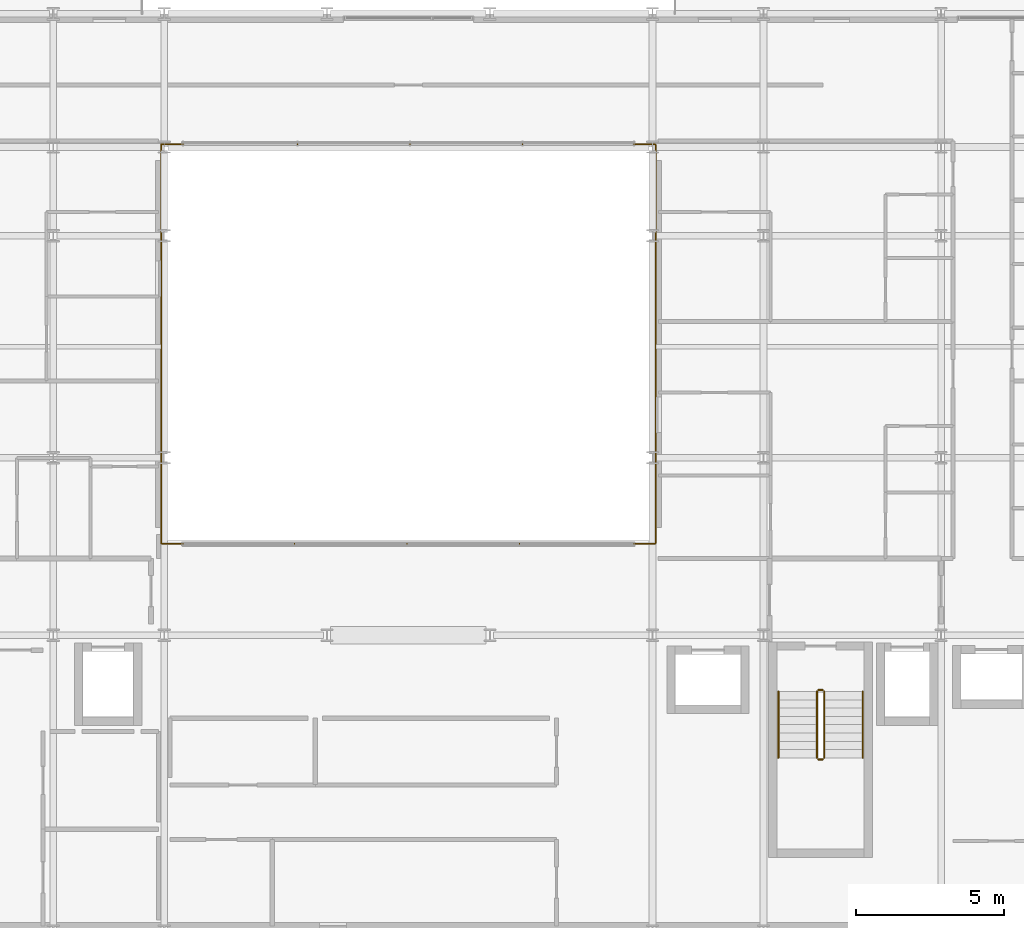
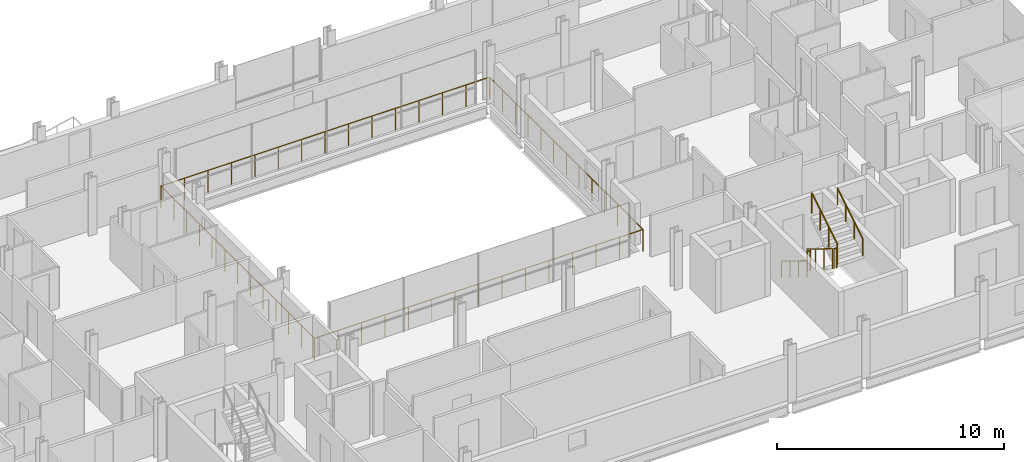
# One storey, part 39 of 40: 8 railings.
"""IFC4 building model written with IfcOpenShell, lengths in metres."""

from ifc_helpers import new_model, si_unit, direction, frame, origin, origin_2d, place, context, subcontext, project, spatial, circle, extrude, material, type_object, element, save


model = new_model("IFC4")

# Units and contexts
model_context = context("Model", 3, precision=1e-05, world=origin(), true_north=direction((0.0, 1.0)))
body_context = subcontext(model_context, "Body", "Model", "MODEL_VIEW")
ifc_project = project(units=[si_unit("LENGTHUNIT", "METRE"), si_unit("AREAUNIT", "SQUARE_METRE"), si_unit("VOLUMEUNIT", "CUBIC_METRE"), si_unit("PLANEANGLEUNIT", "RADIAN"), si_unit("MASSUNIT", "GRAM", prefix="KILO")], contexts=[model_context])

# Site, building, storey
site_placement = place(None, origin())
site = spatial("IfcSite", under=ifc_project, at=site_placement, CompositionType="ELEMENT")
building_placement = place(site_placement, origin())
building = spatial("IfcBuilding", under=site, at=building_placement, Name="Brevholm Reach", CompositionType="ELEMENT")
storey_placement = place(building_placement, frame((0.0, 0.0, 119.0)))
storey = spatial("IfcBuildingStorey", under=building, at=storey_placement, Name="L35", CompositionType="ELEMENT", Elevation=119.0)

# Railings
ifc_material_1 = material(Name="Brushed Stainless Steel EN 1.4401 Continuous Handrail", Category="steel")
railing_type_1 = type_object("IfcRailingType", Name="RAL-HND-950", PredefinedType="HANDRAIL", material=ifc_material_1)
railing_1_placement = place(storey_placement, frame((42.5, 8.10009765625, 0.172119140625)))
element("IfcRailing", 1, at=railing_1_placement, inside=storey, type_object=railing_type_1, Name="L35 ST-2 stair handrail 1", PredefinedType="HANDRAIL", context=body_context, shape_type="SweptSolid", body=[
    extrude(circle(Radius=0.02392578125, at=origin_2d()), frame((0.0, 0.0, 0.8857421875), z_axis=(0.0, -0.851747552033, 0.523952390591), x_axis=(1.0, 0.0, 0.0)), (0.0, 0.0, 1.0), 2.6298828125),
    extrude(circle(Radius=0.02099609375, at=origin_2d()), origin(), (0.0, 0.0, 1.0), 0.86181640625),
    extrude(circle(Radius=0.02099609375, at=origin_2d()), frame((0.0, -0.74658203125, 0.459228515625)), (0.0, 0.0, 1.0), 0.86181640625),
    extrude(circle(Radius=0.02099609375, at=origin_2d()), frame((0.0, -1.493408203125, 0.918701171875)), (0.0, 0.0, 1.0), 0.86181640625),
    extrude(circle(Radius=0.02099609375, at=origin_2d()), frame((0.0, -2.239990234375, 1.3779296875)), (0.0, 0.0, 1.0), 0.86181640625),
])
railing_2_placement = place(storey_placement, frame((45.35009765625, 5.860107421875, 1.72216796875)))
element("IfcRailing", 2, at=railing_2_placement, inside=storey, type_object=railing_type_1, Name="L35 ST-2 stair handrail 2", PredefinedType="HANDRAIL", context=body_context, shape_type="SweptSolid", body=[
    extrude(circle(Radius=0.02392578125, at=origin_2d()), frame((0.0, 0.0, 0.8857421875), z_axis=(0.0, 0.851747552033, 0.523952390591), x_axis=(-1.0, 0.0, 0.0)), (0.0, 0.0, 1.0), 2.6298828125),
    extrude(circle(Radius=0.02099609375, at=origin_2d()), origin(), (0.0, 0.0, 1.0), 0.86181640625),
    extrude(circle(Radius=0.02099609375, at=origin_2d()), frame((0.0, 0.74658203125, 0.459228515625)), (0.0, 0.0, 1.0), 0.86181640625),
    extrude(circle(Radius=0.02099609375, at=origin_2d()), frame((0.0, 1.493408203125, 0.918701171875)), (0.0, 0.0, 1.0), 0.86181640625),
    extrude(circle(Radius=0.02099609375, at=origin_2d()), frame((0.0, 2.239990234375, 1.3779296875)), (0.0, 0.0, 1.0), 0.86181640625),
])
ifc_material_2 = material(Name="Painted Tubular Galvanised Steel S275JR Stair Guard", Category="steel")
railing_type_2 = type_object("IfcRailingType", Name="RAL-STG-1120", PredefinedType="BALUSTRADE", material=ifc_material_2)
railing_3_placement = place(storey_placement, frame((43.800048828125, 8.10009765625, 0.172119140625)))
element("IfcRailing", 3, at=railing_3_placement, inside=storey, type_object=railing_type_2, Name="L35 ST-2 stair guard 1", PredefinedType="BALUSTRADE", context=body_context, shape_type="SweptSolid", body=[
    extrude(circle(Radius=0.02392578125, at=origin_2d()), frame((0.0, 0.0, 1.076171875), z_axis=(0.0, -0.851747552033, 0.523952390591), x_axis=(1.0, 0.0, 0.0)), (0.0, 0.0, 1.0), 2.6298828125),
    extrude(circle(Radius=0.02099609375, at=origin_2d()), origin(), (0.0, 0.0, 1.0), 1.052001953125),
    extrude(circle(Radius=0.02099609375, at=origin_2d()), frame((0.0, -0.74658203125, 0.459228515625)), (0.0, 0.0, 1.0), 1.052001953125),
    extrude(circle(Radius=0.02099609375, at=origin_2d()), frame((0.0, -1.493408203125, 0.918701171875)), (0.0, 0.0, 1.0), 1.052001953125),
    extrude(circle(Radius=0.02099609375, at=origin_2d()), frame((0.0, -2.239990234375, 1.3779296875)), (0.0, 0.0, 1.0), 1.052001953125),
])
railing_4_placement = place(storey_placement, frame((43.85009765625, 5.81005859375, 1.550048828125)))
element("IfcRailing", 4, at=railing_4_placement, inside=storey, type_object=railing_type_2, Name="L35 ST-2 stair guard 2", PredefinedType="BALUSTRADE", context=body_context, shape_type="SweptSolid", body=[
    extrude(circle(Radius=0.02392578125, at=origin_2d()), frame((0.0, 0.0, 1.076171875), z_axis=(1.0, 0.0, 0.0), x_axis=(0.0, 1.0, 0.0)), (0.0, 0.0, 1.0), 0.14990234375),
    extrude(circle(Radius=0.02099609375, at=origin_2d()), origin(), (0.0, 0.0, 1.0), 1.052001953125),
    extrude(circle(Radius=0.02099609375, at=origin_2d()), frame((0.14990234375, 0.0, 0.0)), (0.0, 0.0, 1.0), 1.052001953125),
])
railing_5_placement = place(storey_placement, frame((44.050048828125, 5.860107421875, 1.72216796875)))
element("IfcRailing", 5, at=railing_5_placement, inside=storey, type_object=railing_type_2, Name="L35 ST-2 stair guard 3", PredefinedType="BALUSTRADE", context=body_context, shape_type="SweptSolid", body=[
    extrude(circle(Radius=0.02392578125, at=origin_2d()), frame((0.0, 0.0, 1.076171875), z_axis=(0.0, 0.851747552033, 0.523952390591), x_axis=(-1.0, 0.0, 0.0)), (0.0, 0.0, 1.0), 2.6298828125),
    extrude(circle(Radius=0.02099609375, at=origin_2d()), origin(), (0.0, 0.0, 1.0), 1.052001953125),
    extrude(circle(Radius=0.02099609375, at=origin_2d()), frame((0.0, 0.74658203125, 0.459228515625)), (0.0, 0.0, 1.0), 1.052001953125),
    extrude(circle(Radius=0.02099609375, at=origin_2d()), frame((0.0, 1.493408203125, 0.918701171875)), (0.0, 0.0, 1.0), 1.052001953125),
    extrude(circle(Radius=0.02099609375, at=origin_2d()), frame((0.0, 2.239990234375, 1.3779296875)), (0.0, 0.0, 1.0), 1.052001953125),
])
railing_6_placement = place(storey_placement, frame((43.85009765625, 8.14990234375, 0.0)))
element("IfcRailing", 6, at=railing_6_placement, inside=storey, type_object=railing_type_2, Name="L35 ST-2 stair guard 4", PredefinedType="BALUSTRADE", context=body_context, shape_type="SweptSolid", body=[
    extrude(circle(Radius=0.02392578125, at=origin_2d()), frame((0.0, 0.0, 1.076171875), z_axis=(1.0, 0.0, 0.0), x_axis=(0.0, 1.0, 0.0)), (0.0, 0.0, 1.0), 0.14990234375),
    extrude(circle(Radius=0.02099609375, at=origin_2d()), origin(), (0.0, 0.0, 1.0), 1.052001953125),
    extrude(circle(Radius=0.02099609375, at=origin_2d()), frame((0.14990234375, 0.0, 0.0)), (0.0, 0.0, 1.0), 1.052001953125),
])
ifc_material_3 = material(Name="Brushed Stainless Steel EN 1.4401 and Laminated Glass", Category="steel")
railing_type_3 = type_object("IfcRailingType", Name="RAL-TERR-1200", PredefinedType="BALUSTRADE", material=ifc_material_3)
railing_7_placement = place(storey_placement, frame((21.64990234375, 13.10009765625, 0.0)))
element("IfcRailing", 7, at=railing_7_placement, inside=storey, type_object=railing_type_3, Name="L35 Guard Balustrade RAL-L35-AT-VOID-SW", PredefinedType="BALUSTRADE", context=body_context, shape_type="SweptSolid", body=[
    extrude(circle(Radius=0.02392578125, at=origin_2d()), frame((0.0, 0.0, 1.17578125), z_axis=(1.0, 0.0, 0.0), x_axis=(0.0, 1.0, 0.0)), (0.0, 0.0, 1.0), 16.7001953125),
    extrude(circle(Radius=0.02392578125, at=origin_2d()), frame((16.7001953125, 0.0, 1.17578125), z_axis=(0.0, 1.0, 0.0), x_axis=(-1.0, 0.0, 0.0)), (0.0, 0.0, 1.0), 13.47998046875),
    extrude(circle(Radius=0.02099609375, at=origin_2d()), origin(), (0.0, 0.0, 1.0), 1.15185546875),
    extrude(circle(Radius=0.02099609375, at=origin_2d()), frame((1.19287109375, 0.0, 0.0)), (0.0, 0.0, 1.0), 1.15185546875),
    extrude(circle(Radius=0.02099609375, at=origin_2d()), frame((2.3857421875, 0.0, 0.0)), (0.0, 0.0, 1.0), 1.15185546875),
    extrude(circle(Radius=0.02099609375, at=origin_2d()), frame((3.57861328125, 0.0, 0.0)), (0.0, 0.0, 1.0), 1.15185546875),
    extrude(circle(Radius=0.02099609375, at=origin_2d()), frame((4.771484375, 0.0, 0.0)), (0.0, 0.0, 1.0), 1.15185546875),
    extrude(circle(Radius=0.02099609375, at=origin_2d()), frame((5.96435546875, 0.0, 0.0)), (0.0, 0.0, 1.0), 1.15185546875),
    extrude(circle(Radius=0.02099609375, at=origin_2d()), frame((7.1572265625, 0.0, 0.0)), (0.0, 0.0, 1.0), 1.15185546875),
    extrude(circle(Radius=0.02099609375, at=origin_2d()), frame((8.35009765625, 0.0, 0.0)), (0.0, 0.0, 1.0), 1.15185546875),
    extrude(circle(Radius=0.02099609375, at=origin_2d()), frame((9.54296875, 0.0, 0.0)), (0.0, 0.0, 1.0), 1.15185546875),
    extrude(circle(Radius=0.02099609375, at=origin_2d()), frame((10.73583984375, 0.0, 0.0)), (0.0, 0.0, 1.0), 1.15185546875),
    extrude(circle(Radius=0.02099609375, at=origin_2d()), frame((11.9287109375, 0.0, 0.0)), (0.0, 0.0, 1.0), 1.15185546875),
    extrude(circle(Radius=0.02099609375, at=origin_2d()), frame((13.12158203125, 0.0, 0.0)), (0.0, 0.0, 1.0), 1.15185546875),
    extrude(circle(Radius=0.02099609375, at=origin_2d()), frame((14.314453125, 0.0, 0.0)), (0.0, 0.0, 1.0), 1.15185546875),
    extrude(circle(Radius=0.02099609375, at=origin_2d()), frame((15.50732421875, 0.0, 0.0)), (0.0, 0.0, 1.0), 1.15185546875),
    extrude(circle(Radius=0.02099609375, at=origin_2d()), frame((16.7001953125, 0.0, 0.0)), (0.0, 0.0, 1.0), 1.15185546875),
    extrude(circle(Radius=0.02099609375, at=origin_2d()), frame((16.7001953125, 1.123291015625, 0.0)), (0.0, 0.0, 1.0), 1.15185546875),
    extrude(circle(Radius=0.02099609375, at=origin_2d()), frame((16.7001953125, 2.24658203125, 0.0)), (0.0, 0.0, 1.0), 1.15185546875),
    extrude(circle(Radius=0.02099609375, at=origin_2d()), frame((16.7001953125, 3.3701171875, 0.0)), (0.0, 0.0, 1.0), 1.15185546875),
    extrude(circle(Radius=0.02099609375, at=origin_2d()), frame((16.7001953125, 4.493408203125, 0.0)), (0.0, 0.0, 1.0), 1.15185546875),
    extrude(circle(Radius=0.02099609375, at=origin_2d()), frame((16.7001953125, 5.61669921875, 0.0)), (0.0, 0.0, 1.0), 1.15185546875),
    extrude(circle(Radius=0.02099609375, at=origin_2d()), frame((16.7001953125, 6.739990234375, 0.0)), (0.0, 0.0, 1.0), 1.15185546875),
    extrude(circle(Radius=0.02099609375, at=origin_2d()), frame((16.7001953125, 7.86328125, 0.0)), (0.0, 0.0, 1.0), 1.15185546875),
    extrude(circle(Radius=0.02099609375, at=origin_2d()), frame((16.7001953125, 8.986572265625, 0.0)), (0.0, 0.0, 1.0), 1.15185546875),
    extrude(circle(Radius=0.02099609375, at=origin_2d()), frame((16.7001953125, 10.10986328125, 0.0)), (0.0, 0.0, 1.0), 1.15185546875),
    extrude(circle(Radius=0.02099609375, at=origin_2d()), frame((16.7001953125, 11.2333984375, 0.0)), (0.0, 0.0, 1.0), 1.15185546875),
    extrude(circle(Radius=0.02099609375, at=origin_2d()), frame((16.7001953125, 12.356689453125, 0.0)), (0.0, 0.0, 1.0), 1.15185546875),
    extrude(circle(Radius=0.02099609375, at=origin_2d()), frame((16.7001953125, 13.47998046875, 0.0)), (0.0, 0.0, 1.0), 1.15185546875),
])
railing_8_placement = place(storey_placement, frame((38.330078125, 26.60009765625, 0.0)))
element("IfcRailing", 8, at=railing_8_placement, inside=storey, type_object=railing_type_3, Name="L35 Guard Balustrade RAL-L35-AT-VOID-NE", PredefinedType="BALUSTRADE", context=body_context, shape_type="SweptSolid", body=[
    extrude(circle(Radius=0.02392578125, at=origin_2d()), frame((0.0, 0.0, 1.17578125), z_axis=(-1.0, 0.0, 0.0), x_axis=(0.0, -1.0, 0.0)), (0.0, 0.0, 1.0), 16.68017578125),
    extrude(circle(Radius=0.02392578125, at=origin_2d()), frame((-16.68017578125, 0.0, 1.17578125), z_axis=(0.0, -1.0, 0.0), x_axis=(1.0, 0.0, 0.0)), (0.0, 0.0, 1.0), 13.47998046875),
    extrude(circle(Radius=0.02099609375, at=origin_2d()), origin(), (0.0, 0.0, 1.0), 1.15185546875),
    extrude(circle(Radius=0.02099609375, at=origin_2d()), frame((-1.19140625, 0.0, 0.0)), (0.0, 0.0, 1.0), 1.15185546875),
    extrude(circle(Radius=0.02099609375, at=origin_2d()), frame((-2.3828125, 0.0, 0.0)), (0.0, 0.0, 1.0), 1.15185546875),
    extrude(circle(Radius=0.02099609375, at=origin_2d()), frame((-3.57421875, 0.0, 0.0)), (0.0, 0.0, 1.0), 1.15185546875),
    extrude(circle(Radius=0.02099609375, at=origin_2d()), frame((-4.765869140625, 0.0, 0.0)), (0.0, 0.0, 1.0), 1.15185546875),
    extrude(circle(Radius=0.02099609375, at=origin_2d()), frame((-5.957275390625, 0.0, 0.0)), (0.0, 0.0, 1.0), 1.15185546875),
    extrude(circle(Radius=0.02099609375, at=origin_2d()), frame((-7.148681640625, 0.0, 0.0)), (0.0, 0.0, 1.0), 1.15185546875),
    extrude(circle(Radius=0.02099609375, at=origin_2d()), frame((-8.340087890625, 0.0, 0.0)), (0.0, 0.0, 1.0), 1.15185546875),
    extrude(circle(Radius=0.02099609375, at=origin_2d()), frame((-9.531494140625, 0.0, 0.0)), (0.0, 0.0, 1.0), 1.15185546875),
    extrude(circle(Radius=0.02099609375, at=origin_2d()), frame((-10.722900390625, 0.0, 0.0)), (0.0, 0.0, 1.0), 1.15185546875),
    extrude(circle(Radius=0.02099609375, at=origin_2d()), frame((-11.914306640625, 0.0, 0.0)), (0.0, 0.0, 1.0), 1.15185546875),
    extrude(circle(Radius=0.02099609375, at=origin_2d()), frame((-13.10595703125, 0.0, 0.0)), (0.0, 0.0, 1.0), 1.15185546875),
    extrude(circle(Radius=0.02099609375, at=origin_2d()), frame((-14.29736328125, 0.0, 0.0)), (0.0, 0.0, 1.0), 1.15185546875),
    extrude(circle(Radius=0.02099609375, at=origin_2d()), frame((-15.48876953125, 0.0, 0.0)), (0.0, 0.0, 1.0), 1.15185546875),
    extrude(circle(Radius=0.02099609375, at=origin_2d()), frame((-16.68017578125, 0.0, 0.0)), (0.0, 0.0, 1.0), 1.15185546875),
    extrude(circle(Radius=0.02099609375, at=origin_2d()), frame((-16.68017578125, -1.123291015625, 0.0)), (0.0, 0.0, 1.0), 1.15185546875),
    extrude(circle(Radius=0.02099609375, at=origin_2d()), frame((-16.68017578125, -2.24658203125, 0.0)), (0.0, 0.0, 1.0), 1.15185546875),
    extrude(circle(Radius=0.02099609375, at=origin_2d()), frame((-16.68017578125, -3.3701171875, 0.0)), (0.0, 0.0, 1.0), 1.15185546875),
    extrude(circle(Radius=0.02099609375, at=origin_2d()), frame((-16.68017578125, -4.493408203125, 0.0)), (0.0, 0.0, 1.0), 1.15185546875),
    extrude(circle(Radius=0.02099609375, at=origin_2d()), frame((-16.68017578125, -5.61669921875, 0.0)), (0.0, 0.0, 1.0), 1.15185546875),
    extrude(circle(Radius=0.02099609375, at=origin_2d()), frame((-16.68017578125, -6.739990234375, 0.0)), (0.0, 0.0, 1.0), 1.15185546875),
    extrude(circle(Radius=0.02099609375, at=origin_2d()), frame((-16.68017578125, -7.86328125, 0.0)), (0.0, 0.0, 1.0), 1.15185546875),
    extrude(circle(Radius=0.02099609375, at=origin_2d()), frame((-16.68017578125, -8.986572265625, 0.0)), (0.0, 0.0, 1.0), 1.15185546875),
    extrude(circle(Radius=0.02099609375, at=origin_2d()), frame((-16.68017578125, -10.10986328125, 0.0)), (0.0, 0.0, 1.0), 1.15185546875),
    extrude(circle(Radius=0.02099609375, at=origin_2d()), frame((-16.68017578125, -11.2333984375, 0.0)), (0.0, 0.0, 1.0), 1.15185546875),
    extrude(circle(Radius=0.02099609375, at=origin_2d()), frame((-16.68017578125, -12.356689453125, 0.0)), (0.0, 0.0, 1.0), 1.15185546875),
    extrude(circle(Radius=0.02099609375, at=origin_2d()), frame((-16.68017578125, -13.47998046875, 0.0)), (0.0, 0.0, 1.0), 1.15185546875),
])

save(model, "model.ifc")
